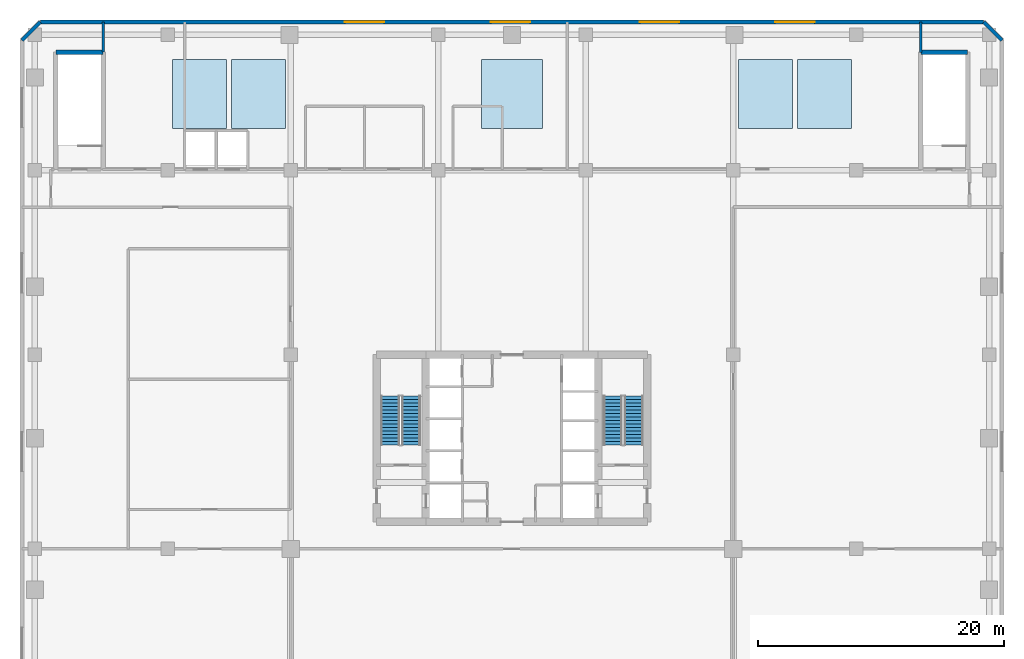
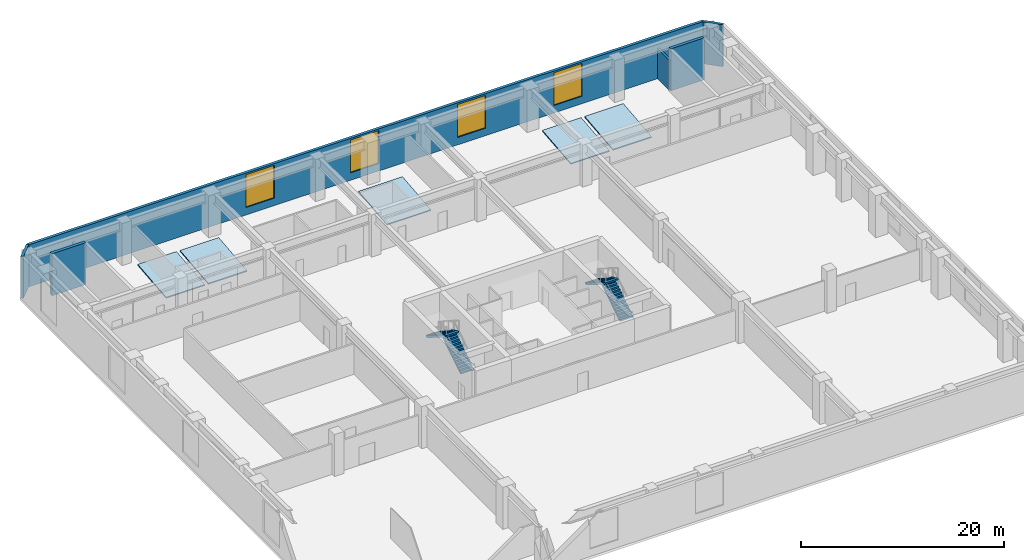
# One storey, part 9 of 12: 7 walls, 5 roofs, 4 stair flights, 4 windows, 4 openings, 2 elements without a shape of their own.
"""IFC4 building model written with IfcOpenShell, lengths in metres."""

from ifc_helpers import new_model, si_unit, direction, frame, frame_2d, origin, place, context, subcontext, project, spatial, polyline, rectangle, outline, extrude, material, layer, layer_set, type_object, element, fill, aggregate, save


model = new_model("IFC4")

# Units and contexts
model_context = context("Model", 3, precision=1e-05, world=origin(), true_north=direction((0.0, 1.0)))
body_context = subcontext(model_context, "Body", "Model", "MODEL_VIEW")
ifc_project = project(units=[si_unit("LENGTHUNIT", "METRE"), si_unit("AREAUNIT", "SQUARE_METRE"), si_unit("VOLUMEUNIT", "CUBIC_METRE"), si_unit("PLANEANGLEUNIT", "RADIAN"), si_unit("MASSUNIT", "GRAM", prefix="KILO")], contexts=[model_context])

# Site, building, storey
site_placement = place(None, origin())
site = spatial("IfcSite", under=ifc_project, at=site_placement, CompositionType="ELEMENT")
building_placement = place(site_placement, origin())
building = spatial("IfcBuilding", under=site, at=building_placement, Name="Sarneth Arch Tower", CompositionType="ELEMENT")
storey_placement = place(building_placement, frame((0.0, 0.0, 16.800048828125)))
storey = spatial("IfcBuildingStorey", under=building, at=storey_placement, Name="L03", CompositionType="ELEMENT", Elevation=16.800048828125)

# Walls
ifc_material_1 = material(Name="Concrete C50/60", Category="concrete")
ifc_layer_1 = layer(ifc_material_1, 0.35009765625)
ifc_layer_set_1 = layer_set([ifc_layer_1], Name="Concrete C50/60")
wall_type_1 = type_object("IfcWallType", Name="WALL-CORE-350", PredefinedType="SHEAR", material=ifc_layer_set_1)
wall_1_placement = place(storey_placement, frame((10.89990234375, 73.39990234375, 0.0), z_axis=(0.0, 0.0, 1.0), x_axis=(1.0, 0.0, 0.0)))
element("IfcWall", 1, at=wall_1_placement, inside=storey, type_object=wall_type_1, Name="L03 Podium stair core wall STP1-N", PredefinedType="SHEAR", context=body_context, shape_type="SweptSolid", body=[
    extrude(rectangle(XDim=3.85009765625, YDim=0.35009765625, at=frame_2d((1.925048828125, 0.0))), origin(), (0.0, 0.0, 1.0), 5.050048828125),
])
wall_2_placement = place(storey_placement, frame((81.25, 73.39990234375, 0.0), z_axis=(0.0, 0.0, 1.0), x_axis=(1.0, 0.0, 0.0)))
element("IfcWall", 2, at=wall_2_placement, inside=storey, type_object=wall_type_1, Name="L03 Podium stair core wall STP2-N", PredefinedType="SHEAR", context=body_context, shape_type="SweptSolid", body=[
    extrude(rectangle(XDim=3.800048828125, YDim=0.35009765625, at=frame_2d((1.89990234375, 0.0))), origin(), (0.0, 0.0, 1.0), 5.050048828125),
])
ifc_material_2 = material(Name="Extruded terracotta rainscreen on Concrete C40/50 backing", Category="masonry")
ifc_layer_2 = layer(ifc_material_2, 0.280029296875)
ifc_layer_set_2 = layer_set([ifc_layer_2], Name="Extruded terracotta rainscreen on Concrete C40/50 backing")
wall_type_2 = type_object("IfcWallType", Name="WALL-EXT-TERRA-280", PredefinedType="SOLIDWALL", material=ifc_layer_set_2)
for number, where, z_axis, x_axis, name in (
    (3, (87.85009765625, 74.35009765625, 0.0), (0.0, 0.0, 1.0), (-0.707106781187, 0.707106781187, 0.0), "L03 Podium corner wall 4"),
    (4, (9.64990234375, 75.85009765625, 0.0), (0.0, 0.0, 1.0), (-0.707106781187, -0.707106781187, 0.0), "L03 Podium corner wall 6"),
):
    element("IfcWall", number, at=place(storey_placement, frame(where, z_axis=z_axis, x_axis=x_axis)), inside=storey, type_object=wall_type_2, Name=name, PredefinedType="SOLIDWALL", context=body_context, shape_type="SweptSolid", body=[
        extrude(rectangle(XDim=2.121337890625, YDim=0.280029296875, at=frame_2d((1.060546875, 0.0))), origin(), (0.0, 0.0, 1.0), 5.050048828125),
    ])

# Wall, openings, windows
ifc_material_3 = material(Name="Extruded terracotta rainscreen on Concrete C40/50 backing", Category="masonry")
ifc_layer_3 = layer(ifc_material_3, 0.320068359375)
ifc_layer_set_3 = layer_set([ifc_layer_3], Name="Extruded terracotta rainscreen on Concrete C40/50 backing")
wall_type_3 = type_object("IfcWallType", Name="WALL-EXT-TERRA-320", PredefinedType="SOLIDWALL", material=ifc_layer_set_3)
wall_3_placement = place(storey_placement, frame((86.35009765625, 75.85009765625, 0.0), z_axis=(0.0, 0.0, 1.0), x_axis=(-1.0, 0.0, 0.0)))
wall_3 = element("IfcWall", 5, at=wall_3_placement, inside=storey, type_object=wall_type_3, Name="L03 Podium exterior wall 5", PredefinedType="SOLIDWALL", context=body_context, shape_type="SweptSolid", body=[
    extrude(rectangle(XDim=76.7001953125, YDim=0.320068359375, at=frame_2d((38.35009765625, 0.0))), origin(), (0.0, 0.0, 1.0), 5.050048828125),
])
opening_1_placement = place(wall_3_placement, frame((13.75, 0.0, 0.89990234375)))
opening_1 = element("IfcOpeningElement", 6, at=opening_1_placement, cuts=wall_3, Name="Opening W-01", PredefinedType="OPENING", context=body_context, shape_type="SweptSolid", body=[
    extrude(rectangle(XDim=3.199951171875, YDim=3.949951171875, at=frame_2d((1.60009765625, 1.97509765625))), frame((0.0, 0.169921875, 0.0), z_axis=(0.0, -1.0, 0.0), x_axis=(1.0, 0.0, 0.0)), (0.0, 0.0, 1.0), 0.340087890625),
])
opening_2_placement = place(wall_3_placement, frame((24.75, 0.0, 0.89990234375)))
opening_2 = element("IfcOpeningElement", 7, at=opening_2_placement, cuts=wall_3, Name="Opening W-01", PredefinedType="OPENING", context=body_context, shape_type="SweptSolid", body=[
    extrude(rectangle(XDim=3.199951171875, YDim=3.949951171875, at=frame_2d((1.60009765625, 1.97509765625))), frame((0.0, 0.169921875, 0.0), z_axis=(0.0, -1.0, 0.0), x_axis=(1.0, 0.0, 0.0)), (0.0, 0.0, 1.0), 0.340087890625),
])
opening_3_placement = place(wall_3_placement, frame((36.875, 0.0, 0.89990234375)))
opening_3 = element("IfcOpeningElement", 8, at=opening_3_placement, cuts=wall_3, Name="Opening W-01", PredefinedType="OPENING", context=body_context, shape_type="SweptSolid", body=[
    extrude(rectangle(XDim=3.199951171875, YDim=3.949951171875, at=frame_2d((1.60009765625, 1.97509765625))), frame((0.0, 0.169921875, 0.0), z_axis=(0.0, -1.0, 0.0), x_axis=(1.0, 0.0, 0.0)), (0.0, 0.0, 1.0), 0.340087890625),
])
opening_4_placement = place(wall_3_placement, frame((48.75, 0.0, 0.89990234375)))
opening_4 = element("IfcOpeningElement", 9, at=opening_4_placement, cuts=wall_3, Name="Opening W-01", PredefinedType="OPENING", context=body_context, shape_type="SweptSolid", body=[
    extrude(rectangle(XDim=3.199951171875, YDim=3.949951171875, at=frame_2d((1.60009765625, 1.97509765625))), frame((0.0, 0.169921875, 0.0), z_axis=(0.0, -1.0, 0.0), x_axis=(1.0, 0.0, 0.0)), (0.0, 0.0, 1.0), 0.340087890625),
])
ifc_material_4 = material(Name="Thermally broken Aluminium 6063-T6 and low-e laminated IGU", Category="aluminium")
window_type = type_object("IfcWindowType", Name="WIN-POD-3200x4800", PartitioningType="TRIPLE_PANEL_HORIZONTAL", PredefinedType="WINDOW", material=ifc_material_4)
window_1_placement = place(opening_1_placement, origin())
window_1 = element("IfcWindow", 10, at=window_1_placement, inside=storey, type_object=window_type, Name="L03 Ballroom window 5.1", OverallHeight=3.949951171875, OverallWidth=3.199951171875, PartitioningType="SINGLE_PANEL", PredefinedType="WINDOW", context=body_context, shape_type="SweptSolid", body=[
    extrude(rectangle(XDim=3.199951171875, YDim=3.949951171875, at=frame_2d((1.60009765625, 1.97509765625))), frame((0.0, 0.030029296875, 0.0), z_axis=(0.0, -1.0, 0.0), x_axis=(1.0, 0.0, 0.0)), (0.0, 0.0, 1.0), 0.06005859375),
])
fill(opening_1, window_1)
window_2_placement = place(opening_2_placement, origin())
window_2 = element("IfcWindow", 11, at=window_2_placement, inside=storey, type_object=window_type, Name="L03 Ballroom window 5.2", OverallHeight=3.949951171875, OverallWidth=3.199951171875, PartitioningType="SINGLE_PANEL", PredefinedType="WINDOW", context=body_context, shape_type="SweptSolid", body=[
    extrude(rectangle(XDim=3.199951171875, YDim=3.949951171875, at=frame_2d((1.60009765625, 1.97509765625))), frame((0.0, 0.030029296875, 0.0), z_axis=(0.0, -1.0, 0.0), x_axis=(1.0, 0.0, 0.0)), (0.0, 0.0, 1.0), 0.06005859375),
])
fill(opening_2, window_2)
window_3_placement = place(opening_3_placement, origin())
window_3 = element("IfcWindow", 12, at=window_3_placement, inside=storey, type_object=window_type, Name="L03 Ballroom window 5.3", OverallHeight=3.949951171875, OverallWidth=3.199951171875, PartitioningType="SINGLE_PANEL", PredefinedType="WINDOW", context=body_context, shape_type="SweptSolid", body=[
    extrude(rectangle(XDim=3.199951171875, YDim=3.949951171875, at=frame_2d((1.60009765625, 1.97509765625))), frame((0.0, 0.030029296875, 0.0), z_axis=(0.0, -1.0, 0.0), x_axis=(1.0, 0.0, 0.0)), (0.0, 0.0, 1.0), 0.06005859375),
])
fill(opening_3, window_3)
window_4_placement = place(opening_4_placement, origin())
window_4 = element("IfcWindow", 13, at=window_4_placement, inside=storey, type_object=window_type, Name="L03 Ballroom window 5.4", OverallHeight=3.949951171875, OverallWidth=3.199951171875, PartitioningType="SINGLE_PANEL", PredefinedType="WINDOW", context=body_context, shape_type="SweptSolid", body=[
    extrude(rectangle(XDim=3.199951171875, YDim=3.949951171875, at=frame_2d((1.60009765625, 1.97509765625))), frame((0.0, 0.030029296875, 0.0), z_axis=(0.0, -1.0, 0.0), x_axis=(1.0, 0.0, 0.0)), (0.0, 0.0, 1.0), 0.06005859375),
])
fill(opening_4, window_4)

# Walls
ifc_material_5 = material(Name="Aerated concrete blockwork C25/30", Category="masonry")
ifc_layer_4 = layer(ifc_material_5, 0.219970703125)
ifc_layer_set_4 = layer_set([ifc_layer_4], Name="Aerated concrete blockwork C25/30")
wall_type_4 = type_object("IfcWallType", Name="WALL-FIRE-220", PredefinedType="SOLIDWALL", material=ifc_layer_set_4)
wall_4_placement = place(storey_placement, frame((81.25, 75.85009765625, 0.0), z_axis=(0.0, 0.0, 1.0), x_axis=(0.0, -1.0, 0.0)))
element("IfcWall", 14, at=wall_4_placement, inside=storey, type_object=wall_type_4, Name="L03 Interior partition W-L03-TP-044", PredefinedType="SOLIDWALL", context=body_context, shape_type="SweptSolid", body=[
    extrude(rectangle(XDim=2.482177734375, YDim=0.219970703125, at=frame_2d((1.2412109375, 0.0))), origin(), (0.0, 0.0, 1.0), 3.64990234375),
])
ifc_material_6 = material(Name="Double steel-stud acoustic drywall", Category="steel")
ifc_layer_5 = layer(ifc_material_6, 0.199951171875)
ifc_layer_set_5 = layer_set([ifc_layer_5], Name="Double steel-stud acoustic drywall")
wall_type_5 = type_object("IfcWallType", Name="WALL-UNIT-200", PredefinedType="PARTITIONING", material=ifc_layer_set_5)
wall_5_placement = place(storey_placement, frame((14.75, 75.85009765625, 0.0), z_axis=(0.0, 0.0, 1.0), x_axis=(0.0, -1.0, 0.0)))
element("IfcWall", 15, at=wall_5_placement, inside=storey, type_object=wall_type_5, Name="L03 Interior partition W-L03-TP-045", PredefinedType="PARTITIONING", context=body_context, shape_type="SweptSolid", body=[
    extrude(rectangle(XDim=2.4501953125, YDim=0.199951171875, at=frame_2d((1.22509765625, 0.0))), origin(), (0.0, 0.0, 1.0), 3.64990234375),
])

# Stair, stair flights
ifc_material_7 = material(Name="Concrete C50/60", Category="concrete")
stair_type = type_object("IfcStairType", Name="STAIR-CORE-RC", PredefinedType="HALF_TURN_STAIR", material=ifc_material_7)
stair_1_placement = place(storey_placement, origin())
stair_1 = element("IfcStair", 16, at=stair_1_placement, inside=storey, type_object=stair_type, Name="L03 Core Exit Stair 1", PredefinedType="HALF_TURN_STAIR")
ifc_material_8 = material(Name="Concrete C50/60", Category="concrete")
stair_flight_type = type_object("IfcStairFlightType", Name="FLIGHT-RC-1500", PredefinedType="STRAIGHT", material=ifc_material_8)
stair_flight_1_placement = place(storey_placement, frame((39.800048828125, 41.449951171875, 0.0), z_axis=(0.0, 0.0, 1.0), x_axis=(0.0, 1.0, 0.0)))
stair_flight_1 = element("IfcStairFlight", 17, at=stair_flight_1_placement, type_object=stair_flight_type, Name="ST-1 flight 1", NumberOfRisers=15, NumberOfTreads=14, PredefinedType="STRAIGHT", RiserHeight=0.18, TreadLength=0.285, context=body_context, shape_type="SweptSolid", body=[
    extrude(outline(polyline([(0.0, 0.0), (0.0, 0.179931640625), (0.284912109375, 0.179931640625), (0.284912109375, 0.360107421875), (0.570068359375, 0.360107421875), (0.570068359375, 0.5400390625), (0.85498046875, 0.5400390625), (0.85498046875, 0.719970703125), (1.139892578125, 0.719970703125), (1.139892578125, 0.89990234375), (1.425048828125, 0.89990234375), (1.425048828125, 1.080078125), (1.7099609375, 1.080078125), (1.7099609375, 1.260009765625), (1.9951171875, 1.260009765625), (1.9951171875, 1.43994140625), (2.280029296875, 1.43994140625), (2.280029296875, 1.6201171875), (2.56494140625, 1.6201171875), (2.56494140625, 1.800048828125), (2.85009765625, 1.800048828125), (2.85009765625, 1.97998046875), (3.135009765625, 1.97998046875), (3.135009765625, 2.159912109375), (3.419921875, 2.159912109375), (3.419921875, 2.340087890625), (3.705078125, 2.340087890625), (3.705078125, 2.52001953125), (3.989990234375, 2.52001953125), (3.989990234375, 2.699951171875), (3.989990234375, 2.3427734375), (0.28076171875, 0.0), (0.0, 0.0)])), frame((0.0, 0.75, 0.0), z_axis=(0.0, -1.0, 0.0), x_axis=(1.0, 0.0, 0.0)), (0.0, 0.0, 1.0), 1.5),
])
stair_flight_2_placement = place(storey_placement, frame((38.10009765625, 45.43994140625, 2.699951171875), z_axis=(0.0, 0.0, 1.0), x_axis=(0.0, -1.0, 0.0)))
stair_flight_2 = element("IfcStairFlight", 18, at=stair_flight_2_placement, type_object=stair_flight_type, Name="ST-1 flight 2", NumberOfRisers=15, NumberOfTreads=14, PredefinedType="STRAIGHT", RiserHeight=0.18, TreadLength=0.285, context=body_context, shape_type="SweptSolid", body=[
    extrude(outline(polyline([(0.0, 0.0), (0.0, 0.179931640625), (0.284912109375, 0.179931640625), (0.284912109375, 0.360107421875), (0.570068359375, 0.360107421875), (0.570068359375, 0.5400390625), (0.85498046875, 0.5400390625), (0.85498046875, 0.719970703125), (1.139892578125, 0.719970703125), (1.139892578125, 0.89990234375), (1.425048828125, 0.89990234375), (1.425048828125, 1.080078125), (1.7099609375, 1.080078125), (1.7099609375, 1.260009765625), (1.9951171875, 1.260009765625), (1.9951171875, 1.43994140625), (2.280029296875, 1.43994140625), (2.280029296875, 1.6201171875), (2.56494140625, 1.6201171875), (2.56494140625, 1.800048828125), (2.85009765625, 1.800048828125), (2.85009765625, 1.97998046875), (3.135009765625, 1.97998046875), (3.135009765625, 2.159912109375), (3.419921875, 2.159912109375), (3.419921875, 2.340087890625), (3.705078125, 2.340087890625), (3.705078125, 2.52001953125), (3.989990234375, 2.52001953125), (3.989990234375, 2.699951171875), (3.989990234375, 2.3427734375), (0.28076171875, 0.0), (0.0, 0.0)])), frame((0.0, 0.75, 0.0), z_axis=(0.0, -1.0, 0.0), x_axis=(1.0, 0.0, 0.0)), (0.0, 0.0, 1.0), 1.5),
])
aggregate(stair_1, [stair_flight_1, stair_flight_2])

stair_2_placement = place(storey_placement, origin())
stair_2 = element("IfcStair", 19, at=stair_2_placement, inside=storey, type_object=stair_type, Name="L03 Core Exit Stair 2", PredefinedType="HALF_TURN_STAIR")
stair_flight_3_placement = place(storey_placement, frame((57.89990234375, 41.449951171875, 0.0), z_axis=(0.0, 0.0, 1.0), x_axis=(0.0, 1.0, 0.0)))
stair_flight_3 = element("IfcStairFlight", 20, at=stair_flight_3_placement, type_object=stair_flight_type, Name="ST-2 flight 1", NumberOfRisers=15, NumberOfTreads=14, PredefinedType="STRAIGHT", RiserHeight=0.18, TreadLength=0.285, context=body_context, shape_type="SweptSolid", body=[
    extrude(outline(polyline([(0.0, 0.0), (0.0, 0.179931640625), (0.284912109375, 0.179931640625), (0.284912109375, 0.360107421875), (0.570068359375, 0.360107421875), (0.570068359375, 0.5400390625), (0.85498046875, 0.5400390625), (0.85498046875, 0.719970703125), (1.139892578125, 0.719970703125), (1.139892578125, 0.89990234375), (1.425048828125, 0.89990234375), (1.425048828125, 1.080078125), (1.7099609375, 1.080078125), (1.7099609375, 1.260009765625), (1.9951171875, 1.260009765625), (1.9951171875, 1.43994140625), (2.280029296875, 1.43994140625), (2.280029296875, 1.6201171875), (2.56494140625, 1.6201171875), (2.56494140625, 1.800048828125), (2.85009765625, 1.800048828125), (2.85009765625, 1.97998046875), (3.135009765625, 1.97998046875), (3.135009765625, 2.159912109375), (3.419921875, 2.159912109375), (3.419921875, 2.340087890625), (3.705078125, 2.340087890625), (3.705078125, 2.52001953125), (3.989990234375, 2.52001953125), (3.989990234375, 2.699951171875), (3.989990234375, 2.3427734375), (0.28076171875, 0.0), (0.0, 0.0)])), frame((0.0, 0.75, 0.0), z_axis=(0.0, -1.0, 0.0), x_axis=(1.0, 0.0, 0.0)), (0.0, 0.0, 1.0), 1.5),
])
stair_flight_4_placement = place(storey_placement, frame((56.199951171875, 45.43994140625, 2.699951171875), z_axis=(0.0, 0.0, 1.0), x_axis=(0.0, -1.0, 0.0)))
stair_flight_4 = element("IfcStairFlight", 21, at=stair_flight_4_placement, type_object=stair_flight_type, Name="ST-2 flight 2", NumberOfRisers=15, NumberOfTreads=14, PredefinedType="STRAIGHT", RiserHeight=0.18, TreadLength=0.285, context=body_context, shape_type="SweptSolid", body=[
    extrude(outline(polyline([(0.0, 0.0), (0.0, 0.179931640625), (0.284912109375, 0.179931640625), (0.284912109375, 0.360107421875), (0.570068359375, 0.360107421875), (0.570068359375, 0.5400390625), (0.85498046875, 0.5400390625), (0.85498046875, 0.719970703125), (1.139892578125, 0.719970703125), (1.139892578125, 0.89990234375), (1.425048828125, 0.89990234375), (1.425048828125, 1.080078125), (1.7099609375, 1.080078125), (1.7099609375, 1.260009765625), (1.9951171875, 1.260009765625), (1.9951171875, 1.43994140625), (2.280029296875, 1.43994140625), (2.280029296875, 1.6201171875), (2.56494140625, 1.6201171875), (2.56494140625, 1.800048828125), (2.85009765625, 1.800048828125), (2.85009765625, 1.97998046875), (3.135009765625, 1.97998046875), (3.135009765625, 2.159912109375), (3.419921875, 2.159912109375), (3.419921875, 2.340087890625), (3.705078125, 2.340087890625), (3.705078125, 2.52001953125), (3.989990234375, 2.52001953125), (3.989990234375, 2.699951171875), (3.989990234375, 2.3427734375), (0.28076171875, 0.0), (0.0, 0.0)])), frame((0.0, 0.75, 0.0), z_axis=(0.0, -1.0, 0.0), x_axis=(1.0, 0.0, 0.0)), (0.0, 0.0, 1.0), 1.5),
])
aggregate(stair_2, [stair_flight_3, stair_flight_4])

# Roofs
ifc_material_9 = material(Name="Laminated safety glass on Steel S355", Category="glass")
for number, where, z_axis, x_axis, name in (
    (22, (20.39990234375, 67.199951171875, 0.139892578125), (0.0, -0.103032302426, 0.994678010542), (1.0, 0.0, 0.0), "Podium retail atrium skylight 1"),
    (23, (25.199951171875, 67.199951171875, 0.139892578125), (0.0, -0.103032302426, 0.994678010542), (1.0, 0.0, 0.0), "Podium retail atrium skylight 2"),
    (24, (66.39990234375, 67.199951171875, 0.139892578125), (0.0, -0.103032302426, 0.994678010542), (1.0, 0.0, 0.0), "Podium retail atrium skylight 3"),
    (25, (71.199951171875, 67.199951171875, 0.139892578125), (0.0, -0.103032302426, 0.994678010542), (1.0, 0.0, 0.0), "Podium retail atrium skylight 4"),
):
    element("IfcRoof", number, at=place(storey_placement, frame(where, z_axis=z_axis, x_axis=x_axis)), inside=storey, material=ifc_material_9, Name=name, PredefinedType="SHED_ROOF", context=body_context, shape_type="SweptSolid", body=[
        extrude(outline(polyline([(0.0, 0.0), (4.400146484375, 0.0), (4.400146484375, 5.630060780368207), (0.0, 5.630060780368207), (0.0, 0.0)])), origin(), (0.0, 0.0, -1.0), 0.139892578125),
    ])
roof_placement = place(storey_placement, frame((45.5, 67.199951171875, 0.139892578125), z_axis=(0.0, -0.103032302426, 0.994678010542), x_axis=(1.0, 0.0, 0.0)))
element("IfcRoof", 26, at=roof_placement, inside=storey, material=ifc_material_9, Name="Podium retail atrium skylight 5", PredefinedType="SHED_ROOF", context=body_context, shape_type="SweptSolid", body=[
    extrude(outline(polyline([(0.0, 0.0), (5.0, 0.0), (5.0, 5.630060780368207), (0.0, 5.630060780368207), (0.0, 0.0)])), origin(), (0.0, 0.0, -1.0), 0.139892578125),
])

save(model, "model.ifc")
